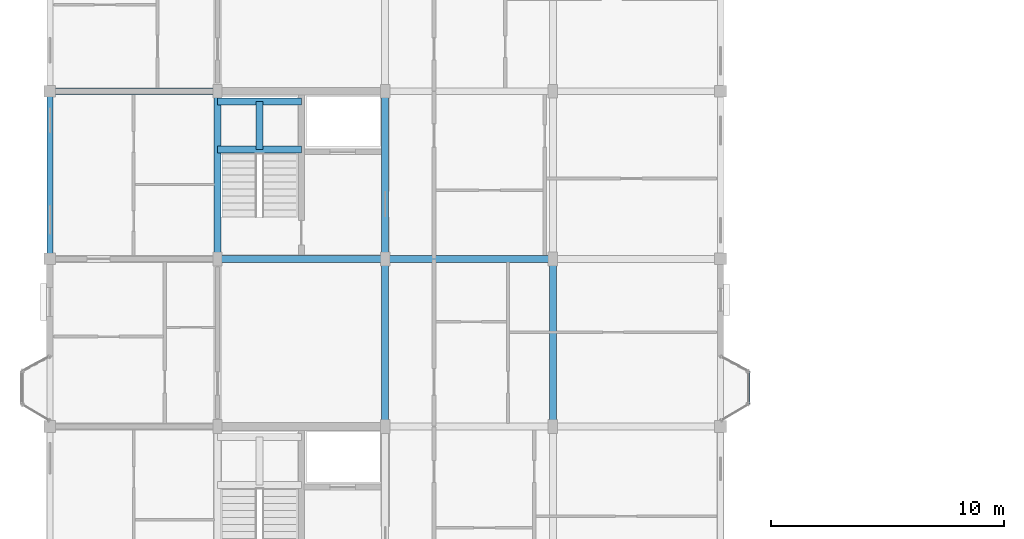
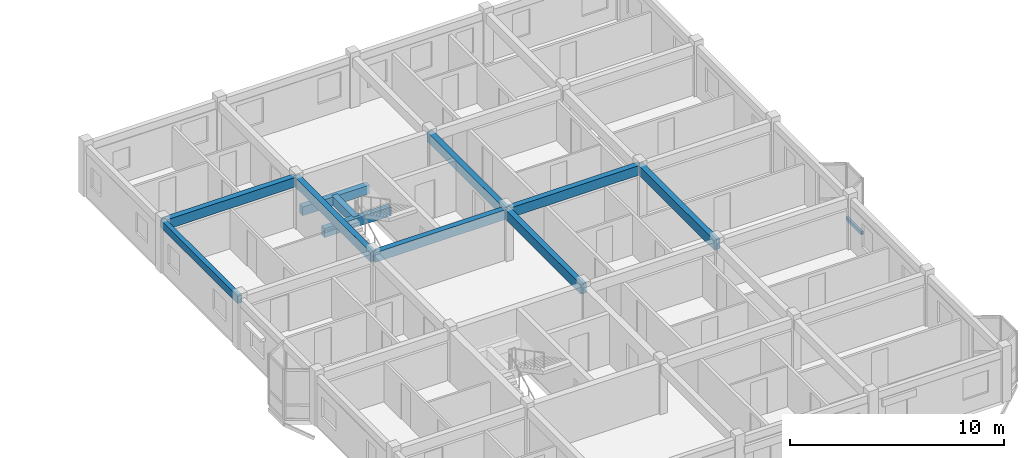
# One storey, part 11 of 65: 11 beams, 1 member.
"""IFC4 building model written with IfcOpenShell, lengths in metres."""

import ifcopenshell
import ifcopenshell.guid

model = None  # the IFC model being written
_history = None  # IfcOwnerHistory: only IFC2X3 demands one
_inside = {}  # id of a spatial element -> (the spatial element, [elements in it])
_under = {}  # id of a project, library or spatial element -> (it, [spatial elements below it])
_declared = {}  # id of a project -> (the project, [libraries it declares])
_typed = {}  # id of a type object -> (the type object, [elements of that type])
_made_of = {}  # id of a material, layer set ... -> (it, [elements and type objects made of it])


def new_model(schema):
    """Start an empty IFC model of exactly this schema.

    Asked for "IFC4X3", IfcOpenShell would pick the latest addendum, in which some entities
    have other attributes; the version numbers below select the first issue.
    IFC2X3 requires an IfcOwnerHistory on every rooted entity: one is made here for all.
    """
    global model, _history
    if schema == "IFC4X3":
        model = ifcopenshell.file(schema_version=(4, 3, 0, 0))
    else:
        model = ifcopenshell.file(schema=schema)
    _inside.clear()
    _under.clear()
    _declared.clear()
    _typed.clear()
    _made_of.clear()
    _history = None
    if model.schema == "IFC2X3":
        org = make("IfcOrganization", Name="unknown")
        user = make(
            "IfcPersonAndOrganization",
            ThePerson=make("IfcPerson", FamilyName="unknown"),
            TheOrganization=org,
        )
        app = make(
            "IfcApplication",
            ApplicationDeveloper=org,
            Version="unknown",
            ApplicationFullName="unknown",
            ApplicationIdentifier="unknown",
        )
        _history = make(
            "IfcOwnerHistory",
            OwningUser=user,
            OwningApplication=app,
            ChangeAction="ADDED",
            CreationDate=0,
        )
    return model


def make(cls, **values):
    """One entity of the class cls with the attributes given. An attribute that is None is left unset."""
    return model.create_entity(
        cls, **{name: value for name, value in values.items() if value is not None}
    )


def rooted(cls, **values):
    """An entity with a GlobalId (a new one), such as an element, a storey or a relation."""
    return make(cls, GlobalId=ifcopenshell.guid.new(), OwnerHistory=_history, **values)


def si_unit(unit_type, name, prefix=None):
    """IfcSIUnit, for example si_unit("LENGTHUNIT", "METRE", prefix="MILLI")."""
    return make("IfcSIUnit", UnitType=unit_type, Prefix=prefix, Name=name)


def assignment(units):
    """IfcUnitAssignment: the units of a project."""
    return None if units is None else make("IfcUnitAssignment", Units=units)


def point(xyz):
    """IfcCartesianPoint."""
    return None if xyz is None else make("IfcCartesianPoint", Coordinates=xyz)


def direction(xyz):
    """IfcDirection."""
    return None if xyz is None else make("IfcDirection", DirectionRatios=xyz)


def frame(location, z_axis=None, x_axis=None):
    """IfcAxis2Placement3D, a coordinate frame: its origin and axes. An axis left out is left unset."""
    return make(
        "IfcAxis2Placement3D",
        Location=point(location),
        Axis=direction(z_axis),
        RefDirection=direction(x_axis),
    )


def frame_2d(location, x_axis=None):
    """IfcAxis2Placement2D, a coordinate frame in the plane: its origin and x axis."""
    return make(
        "IfcAxis2Placement2D", Location=point(location), RefDirection=direction(x_axis)
    )


def origin():
    """The frame at (0, 0, 0) with its axes left unset."""
    return frame((0.0, 0.0, 0.0))


def origin_2d():
    """The frame at (0, 0) in the plane with its x axis left unset."""
    return frame_2d((0.0, 0.0))


def place(relative_to, where):
    """IfcLocalPlacement: puts the frame where relative to a parent placement (None: the world)."""
    return make(
        "IfcLocalPlacement", PlacementRelTo=relative_to, RelativePlacement=where
    )


def context(
    kind, dimensions, precision=None, world=None, true_north=None, identifier=None
):
    """IfcGeometricRepresentationContext, for example the 3D "Model" context."""
    return make(
        "IfcGeometricRepresentationContext",
        ContextIdentifier=identifier,
        ContextType=kind,
        CoordinateSpaceDimension=dimensions,
        Precision=precision,
        WorldCoordinateSystem=world,
        TrueNorth=true_north,
    )


def subcontext(parent, identifier, kind, view, scale=None):
    """IfcGeometricRepresentationSubContext, for example "Body" below "Model"."""
    return make(
        "IfcGeometricRepresentationSubContext",
        ContextIdentifier=identifier,
        ContextType=kind,
        ParentContext=parent,
        TargetScale=scale,
        TargetView=view,
    )


def project(units=None, contexts=None):
    """IfcProject with its units and contexts."""
    return rooted(
        "IfcProject",
        Name="project",
        RepresentationContexts=contexts,
        UnitsInContext=assignment(units),
    )


def spatial(cls, under=None, at=None, **own):
    """A site, building, storey or space (cls), placed at a placement, below another one or the project."""
    s = rooted(cls, ObjectPlacement=at, **own)
    if under is not None:
        _under.setdefault(under.id(), (under, []))[1].append(s)
    return s


def profile(cls, at=None, kind="AREA", **sizes):
    """A parametric profile (cls). Its sizes go by their IFC names, for example OverallWidth=200.0."""
    return make(cls, ProfileType=kind, Position=at, **sizes)


def rectangle(**sizes):
    """IfcRectangleProfileDef."""
    return profile("IfcRectangleProfileDef", **sizes)


def hollow_rectangle(**sizes):
    """IfcRectangleHollowProfileDef."""
    return profile("IfcRectangleHollowProfileDef", **sizes)


def extrude(swept, where, along, depth):
    """IfcExtrudedAreaSolid: the profile swept, set in the frame where, extruded along a direction by depth."""
    return make(
        "IfcExtrudedAreaSolid",
        SweptArea=swept,
        Position=where,
        ExtrudedDirection=direction(along),
        Depth=depth,
    )


def shape(context_of_items, identifier, shape_type, items):
    """IfcShapeRepresentation: the items that make up one representation, for example the "Body"."""
    return make(
        "IfcShapeRepresentation",
        ContextOfItems=context_of_items,
        RepresentationIdentifier=identifier,
        RepresentationType=shape_type,
        Items=items,
    )


def material(Name=None, Category=None):
    """IfcMaterial."""
    return make("IfcMaterial", Name=Name, Category=Category)


def material_profile(
    of_material, cross_section, Name=None, Category=None, Priority=None
):
    """IfcMaterialProfile: a cross section and its material."""
    return make(
        "IfcMaterialProfile",
        Name=Name,
        Material=of_material,
        Profile=cross_section,
        Priority=Priority,
        Category=Category,
    )


def profile_set(profiles, Name=None, composite=None):
    """IfcMaterialProfileSet."""
    return make(
        "IfcMaterialProfileSet",
        Name=Name,
        MaterialProfiles=profiles,
        CompositeProfile=composite,
    )


def made_of(thing, what):
    """Note that an element or type object is made of a material, layer set ...; save() writes the relation."""
    if what is not None:
        _made_of.setdefault(what.id(), (what, []))[1].append(thing)
    return thing


def type_object(cls, material=None, **own):
    """A type object (cls), such as IfcWallType, which elements share."""
    return made_of(rooted(cls, **own), material)


def element(
    cls,
    number,
    at=None,
    inside=None,
    cuts=None,
    type_object=None,
    material=None,
    context=None,
    identifier="Body",
    shape_type=None,
    held_by="IfcProductDefinitionShape",
    body=None,
    shapes=None,
    **own,
):
    """One element of the class cls, such as IfcWall. Its Tag is "e" and its number.

    at: its placement. inside: the storey or other place that contains it. cuts: it is an
    opening in that element (IfcRelVoidsElement). A single representation is given by context,
    identifier, shape_type and body (its items); several are given by shapes. held_by: the class
    of the entity that holds the representations. save() writes the other relations.
    """
    e = rooted(cls, Tag="e%d" % number, ObjectPlacement=at, **own)
    if body is not None:
        shapes = [shape(context, identifier, shape_type, body)]
    if shapes is not None:
        e.Representation = make(held_by, Representations=shapes)
    if inside is not None:
        _inside.setdefault(inside.id(), (inside, []))[1].append(e)
    if cuts is not None:
        rooted(
            "IfcRelVoidsElement", RelatingBuildingElement=cuts, RelatedOpeningElement=e
        )
    if type_object is not None:
        _typed.setdefault(type_object.id(), (type_object, []))[1].append(e)
    return made_of(e, material)


def aggregate(whole, parts):
    """IfcRelAggregates: a whole, such as a stair, and the parts it consists of."""
    return rooted("IfcRelAggregates", RelatingObject=whole, RelatedObjects=parts)


def save(model, path):
    """Write the relations noted so far, then the file.

    IfcRelAggregates (storeys below a building ...), IfcRelContainedInSpatialStructure (elements
    in a storey), IfcRelDefinesByType, IfcRelAssociatesMaterial and IfcRelDeclares: one each for
    every whole, place, type object, material and project.
    """
    for whole, parts in _under.values():
        aggregate(whole, parts)
    for where, things in _inside.values():
        rooted(
            "IfcRelContainedInSpatialStructure",
            RelatedElements=things,
            RelatingStructure=where,
        )
    for kind, things in _typed.values():
        rooted("IfcRelDefinesByType", RelatedObjects=things, RelatingType=kind)
    for what, things in _made_of.values():
        rooted("IfcRelAssociatesMaterial", RelatedObjects=things, RelatingMaterial=what)
    for by, libraries in _declared.values():
        rooted("IfcRelDeclares", RelatingContext=by, RelatedDefinitions=libraries)
    model.write(path)


model = new_model("IFC4")

# Units and contexts
model_context = context("Model", 3, precision=1e-05, world=origin(), true_north=direction((0.0, 1.0)))
body_context = subcontext(model_context, "Body", "Model", "MODEL_VIEW")
ifc_project = project(units=[si_unit("LENGTHUNIT", "METRE"), si_unit("AREAUNIT", "SQUARE_METRE"), si_unit("VOLUMEUNIT", "CUBIC_METRE"), si_unit("PLANEANGLEUNIT", "RADIAN"), si_unit("MASSUNIT", "GRAM", prefix="KILO"), si_unit("THERMODYNAMICTEMPERATUREUNIT", "KELVIN"), si_unit("POWERUNIT", "WATT")], contexts=[model_context])

# Site, building, storey
site_placement = place(None, origin())
site = spatial("IfcSite", under=ifc_project, at=site_placement, CompositionType="ELEMENT")
building_placement = place(site_placement, origin())
building = spatial("IfcBuilding", under=site, at=building_placement, Name="Tavuni Mirador Residences", CompositionType="ELEMENT")
storey_placement = place(building_placement, frame((0.0, 0.0, 29.699951171875)))
storey = spatial("IfcBuildingStorey", under=building, at=storey_placement, Name="L09", CompositionType="ELEMENT", Elevation=29.699951171875)

# Beams
ifc_material_1 = material(Name="Precast concrete C40/50", Category="concrete")
ifc_material_profile_1 = material_profile(ifc_material_1, rectangle(XDim=0.300048828125, YDim=0.5, at=origin_2d()), Name="PC 300x500", Category="concrete")
ifc_profile_set_1 = profile_set([ifc_material_profile_1], Name="Precast concrete C40/50")
beam_type_1 = type_object("IfcBeamType", Name="BT-B500", PredefinedType="BEAM", material=ifc_profile_set_1)
for number, where, z_axis, x_axis, name in (
    (1, (10.800048828125, 33.5, 1.14501953125), (1.0, 0.0, 0.0), (0.0, 1.0, 0.0), "HLB1-C2-L09"),
    (2, (10.800048828125, 35.550048828125, 1.14501953125), (1.0, 0.0, 0.0), (0.0, 1.0, 0.0), "HLB2-C2-L09"),
):
    element("IfcBeam", number, at=place(storey_placement, frame(where, z_axis=z_axis, x_axis=x_axis)), inside=storey, type_object=beam_type_1, Name=name, PredefinedType="BEAM", context=body_context, shape_type="SweptSolid", body=[
        extrude(rectangle(XDim=0.300048828125, YDim=0.5, at=origin_2d()), origin(), (0.0, 0.0, 1.0), 3.599853515625),
    ])
beam_1_placement = place(storey_placement, frame((12.60009765625, 33.5, 1.14501953125), z_axis=(0.0, 1.0, 0.0), x_axis=(-1.0, 0.0, 0.0)))
element("IfcBeam", 3, at=beam_1_placement, inside=storey, type_object=beam_type_1, Name="HLB3-C2-L09", PredefinedType="BEAM", context=body_context, shape_type="SweptSolid", body=[
    extrude(rectangle(XDim=0.300048828125, YDim=0.5, at=origin_2d()), origin(), (0.0, 0.0, 1.0), 2.050048828125),
])
ifc_material_profile_2 = material_profile(ifc_material_1, rectangle(XDim=0.300048828125, YDim=0.550048828125, at=origin_2d()), Name="PC 300x550", Category="concrete")
ifc_profile_set_2 = profile_set([ifc_material_profile_2], Name="Precast concrete C40/50")
beam_type_2 = type_object("IfcBeamType", Name="BT-B550", PredefinedType="BEAM", material=ifc_profile_set_2)
for number, where, z_axis, x_axis, name in (
    (4, (10.800048828125, 28.800048828125, 2.594970703125), (1.0, 0.0, 0.0), (0.0, 1.0, 0.0), "BMX-BLK-A-L09-01-03"),
    (5, (18.0, 28.800048828125, 2.594970703125), (1.0, 0.0, 0.0), (0.0, 1.0, 0.0), "BMX-BLK-A-L09-02-03"),
    (6, (3.60009765625, 36.0, 2.594970703125), (1.0, 0.0, 0.0), (0.0, 1.0, 0.0), "BMX-BLK-A-L09-00-04"),
    (7, (10.800048828125, 28.800048828125, 2.594970703125), (0.0, 1.0, 0.0), (-1.0, 0.0, 0.0), "BMY-BLK-A-L09-01-03"),
    (8, (18.0, 21.60009765625, 2.594970703125), (0.0, 1.0, 0.0), (-1.0, 0.0, 0.0), "BMY-BLK-A-L09-02-02"),
    (9, (18.0, 28.800048828125, 2.594970703125), (0.0, 1.0, 0.0), (-1.0, 0.0, 0.0), "BMY-BLK-A-L09-02-03"),
    (10, (25.199951171875, 21.60009765625, 2.594970703125), (0.0, 1.0, 0.0), (-1.0, 0.0, 0.0), "BMY-BLK-A-L09-03-02"),
):
    element("IfcBeam", number, at=place(storey_placement, frame(where, z_axis=z_axis, x_axis=x_axis)), inside=storey, type_object=beam_type_2, Name=name, PredefinedType="BEAM", context=body_context, shape_type="SweptSolid", body=[
        extrude(rectangle(XDim=0.300048828125, YDim=0.550048828125, at=origin_2d()), origin(), (0.0, 0.0, 1.0), 7.199951171875),
    ])
ifc_material_profile_3 = material_profile(ifc_material_1, rectangle(XDim=0.25, YDim=0.419921875, at=origin_2d()), Name="PC 250x420", Category="concrete")
ifc_profile_set_3 = profile_set([ifc_material_profile_3], Name="Precast concrete C40/50")
beam_type_3 = type_object("IfcBeamType", Name="BT-SP420", PredefinedType="SPANDREL", material=ifc_profile_set_3)
beam_2_placement = place(storey_placement, frame((3.60009765625, 28.800048828125, 2.66015625), z_axis=(0.0, 1.0, 0.0), x_axis=(-1.0, 0.0, 0.0)))
element("IfcBeam", 11, at=beam_2_placement, inside=storey, type_object=beam_type_3, Name="BMY-BLK-A-L09-00-03", PredefinedType="SPANDREL", context=body_context, shape_type="SweptSolid", body=[
    extrude(rectangle(XDim=0.25, YDim=0.419921875, at=origin_2d()), origin(), (0.0, 0.0, 1.0), 7.199951171875),
])

# Member
ifc_material_2 = material(Name="Structural steel S355", Category="steel")
ifc_material_profile_4 = material_profile(ifc_material_2, hollow_rectangle(XDim=0.1201171875, YDim=0.199951171875, WallThickness=0.010009765625, at=origin_2d()), Name="RHS 200x120x10.0", Category="steel")
ifc_profile_set_4 = profile_set([ifc_material_profile_4], Name="Structural steel S355")
member_type = type_object("IfcMemberType", Name="MT-ST-RHS200", PredefinedType="STRUT", material=ifc_profile_set_4)
member_placement = place(storey_placement, frame((33.60009765625, 22.56005859375, -0.280029296875), z_axis=(0.0, 1.0, 0.0), x_axis=(-1.0, 0.0, 0.0)))
element("IfcMember", 12, at=member_placement, inside=storey, type_object=member_type, Name="MRIM-MIR-A-E2-L09", PredefinedType="STRUT", context=body_context, shape_type="SweptSolid", body=[
    extrude(hollow_rectangle(XDim=0.1201171875, YDim=0.199951171875, WallThickness=0.010009765625, at=origin_2d()), origin(), (0.0, 0.0, 1.0), 1.419921875),
])

save(model, "model.ifc")
